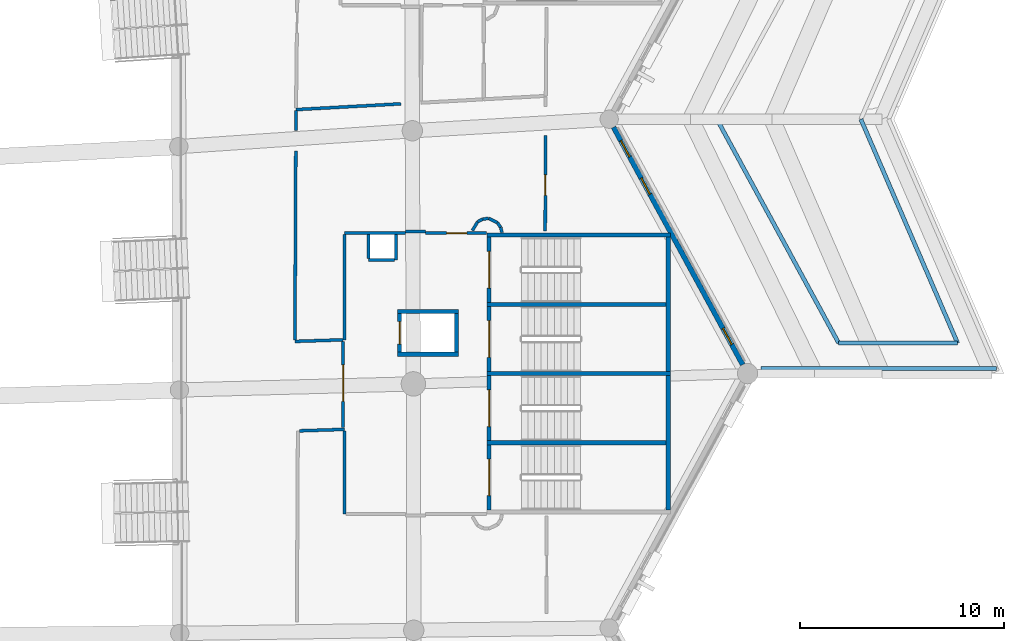
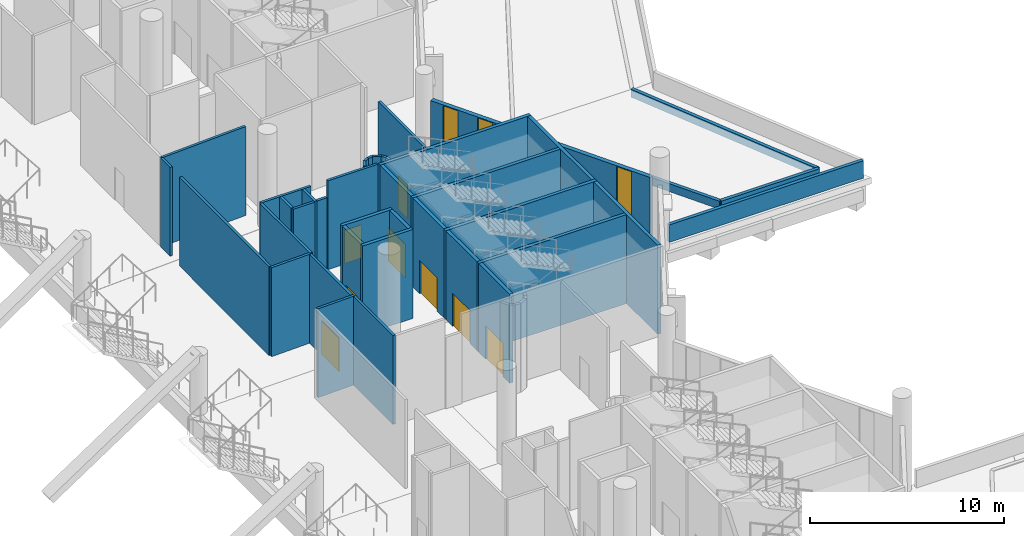
# One storey, part 71 of 173: 40 walls, 8 doors, 3 windows, 11 openings.
"""IFC4 building model written with IfcOpenShell, lengths in metres."""

from ifc_helpers import new_model, si_unit, direction, frame, frame_2d, origin, place, context, subcontext, project, spatial, rectangle, extrude, material, layer, layer_set, type_object, element, fill, save


model = new_model("IFC4")

# Units and contexts
model_context = context("Model", 3, precision=1e-05, world=origin(), true_north=direction((0.0, 1.0)))
body_context = subcontext(model_context, "Body", "Model", "MODEL_VIEW")
ifc_project = project(units=[si_unit("LENGTHUNIT", "METRE"), si_unit("AREAUNIT", "SQUARE_METRE"), si_unit("VOLUMEUNIT", "CUBIC_METRE"), si_unit("PLANEANGLEUNIT", "RADIAN"), si_unit("MASSUNIT", "GRAM", prefix="KILO")], contexts=[model_context])

# Site, building, storey
site_placement = place(None, origin())
site = spatial("IfcSite", under=ifc_project, at=site_placement, CompositionType="ELEMENT")
building_placement = place(site_placement, origin())
building = spatial("IfcBuilding", under=site, at=building_placement, Name="Meseta Stadium", CompositionType="ELEMENT")
storey_placement = place(building_placement, frame((0.0, 0.0, 18.0)))
storey = spatial("IfcBuildingStorey", under=building, at=storey_placement, Name="L03", CompositionType="ELEMENT", Elevation=18.0)

# Walls
ifc_material_1 = material(Name="Concrete C40/50", Category="concrete")
ifc_layer_1 = layer(ifc_material_1, 0.199951171875)
ifc_layer_set_1 = layer_set([ifc_layer_1], Name="Core divider wall 200")
wall_type_1 = type_object("IfcWallType", Name="Core divider wall 200", PredefinedType="SHEAR", material=ifc_layer_set_1)
for number, where, z_axis, x_axis, name in (
    (1, (97.60009765625, 15.35009765625, 0.0), (0.0, 0.0, 1.0), (-1.0, 0.0, 0.0), "Core 04 L03 stair A divider wall"),
    (2, (97.60009765625, 22.14990234375, 0.0), (0.0, 0.0, 1.0), (-1.0, 0.0, 0.0), "Core 04 L03 stair B divider wall"),
):
    element("IfcWall", number, at=place(storey_placement, frame(where, z_axis=z_axis, x_axis=x_axis)), inside=storey, type_object=wall_type_1, Name=name, PredefinedType="SHEAR", context=body_context, shape_type="SweptSolid", body=[
        extrude(rectangle(XDim=9.0, YDim=0.199951171875, at=frame_2d((4.5, 0.0))), origin(), (0.0, 0.0, 1.0), 5.60009765625),
    ])
ifc_material_2 = material(Name="Concrete C40/50", Category="concrete")
ifc_layer_2 = layer(ifc_material_2, 0.199951171875)
ifc_layer_set_2 = layer_set([ifc_layer_2], Name="Core shaft wall 200")
wall_type_2 = type_object("IfcWallType", Name="Core shaft wall 200", PredefinedType="SHEAR", material=ifc_layer_set_2)
for number, where, z_axis, x_axis, name in (
    (3, (97.60009765625, 18.75, 0.0), (0.0, 0.0, 1.0), (-1.0, 0.0, 0.0), "Core 04 L03 stair wall shared"),
    (4, (97.60009765625, 25.550048828125, 0.0), (0.0, 0.0, 1.0), (-1.0, 0.0, 0.0), "Core 04 L03 stair wall B-side"),
):
    element("IfcWall", number, at=place(storey_placement, frame(where, z_axis=z_axis, x_axis=x_axis)), inside=storey, type_object=wall_type_2, Name=name, PredefinedType="SHEAR", context=body_context, shape_type="SweptSolid", body=[
        extrude(rectangle(XDim=9.0, YDim=0.199951171875, at=frame_2d((4.5, 0.0))), origin(), (0.0, 0.0, 1.0), 5.60009765625),
    ])
for number, where, z_axis, x_axis, name in (
    (5, (97.5, 12.050048828125, 0.0), (0.0, 0.0, 1.0), (0.0, 1.0, 0.0), "Core 04 L03 stair A outer end wall"),
    (6, (97.5, 18.85009765625, 0.0), (0.0, 0.0, 1.0), (0.0, 1.0, 0.0), "Core 04 L03 stair B outer end wall"),
):
    element("IfcWall", number, at=place(storey_placement, frame(where, z_axis=z_axis, x_axis=x_axis)), inside=storey, type_object=wall_type_2, Name=name, PredefinedType="SHEAR", context=body_context, shape_type="SweptSolid", body=[
        extrude(rectangle(XDim=6.599853515625, YDim=0.199951171875, at=frame_2d((3.2998046875, 0.0))), origin(), (0.0, 0.0, 1.0), 5.60009765625),
    ])

# Wall, opening, door
wall_1_placement = place(storey_placement, frame((88.699951171875, 12.050048828125, 0.0), z_axis=(0.0, 0.0, 1.0), x_axis=(0.0, 1.0, 0.0)))
wall_1 = element("IfcWall", 7, at=wall_1_placement, inside=storey, type_object=wall_type_2, Name="Core 04 L03 stair A1 inner end wall", PredefinedType="SHEAR", context=body_context, shape_type="SweptSolid", body=[
    extrude(rectangle(XDim=3.199951171875, YDim=0.199951171875, at=frame_2d((1.60009765625, 0.0))), origin(), (0.0, 0.0, 1.0), 5.60009765625),
])
opening_1_placement = place(wall_1_placement, frame((0.699951171875, 0.0, 0.0)))
opening_1 = element("IfcOpeningElement", 8, at=opening_1_placement, cuts=wall_1, Name="Opening D1489", PredefinedType="OPENING", context=body_context, shape_type="SweptSolid", body=[
    extrude(rectangle(XDim=1.800048828125, YDim=2.10009765625, at=frame_2d((0.89990234375, 1.050048828125))), frame((0.0, 0.10986328125, 0.0), z_axis=(0.0, -1.0, 0.0), x_axis=(1.0, 0.0, 0.0)), (0.0, 0.0, 1.0), 0.219970703125),
])
ifc_material_3 = material(Name="Steel", Category="steel")
door_type_1 = type_object("IfcDoorType", Name="Stair door 1800x2100", OperationType="DOUBLE_DOOR_SINGLE_SWING", PredefinedType="DOOR", material=ifc_material_3)
door_1_placement = place(opening_1_placement, origin())
door_1 = element("IfcDoor", 9, at=door_1_placement, inside=storey, type_object=door_type_1, Name="Stair A1 door 04 L03", OperationType="DOUBLE_DOOR_SINGLE_SWING", OverallHeight=2.10009765625, OverallWidth=1.800048828125, PredefinedType="DOOR", context=body_context, shape_type="SweptSolid", body=[
    extrude(rectangle(XDim=1.800048828125, YDim=2.10009765625, at=frame_2d((0.89990234375, 1.050048828125))), frame((0.0, 0.02490234375, 0.0), z_axis=(0.0, -1.0, 0.0), x_axis=(1.0, 0.0, 0.0)), (0.0, 0.0, 1.0), 0.050048828125),
])
fill(opening_1, door_1)

wall_2_placement = place(storey_placement, frame((88.699951171875, 15.449951171875, 0.0), z_axis=(0.0, 0.0, 1.0), x_axis=(0.0, 1.0, 0.0)))
wall_2 = element("IfcWall", 10, at=wall_2_placement, inside=storey, type_object=wall_type_2, Name="Core 04 L03 stair A2 inner end wall", PredefinedType="SHEAR", context=body_context, shape_type="SweptSolid", body=[
    extrude(rectangle(XDim=3.199951171875, YDim=0.199951171875, at=frame_2d((1.60009765625, 0.0))), origin(), (0.0, 0.0, 1.0), 5.60009765625),
])
opening_2_placement = place(wall_2_placement, frame((0.699951171875, 0.0, 0.0)))
opening_2 = element("IfcOpeningElement", 11, at=opening_2_placement, cuts=wall_2, Name="Opening D1490", PredefinedType="OPENING", context=body_context, shape_type="SweptSolid", body=[
    extrude(rectangle(XDim=1.800048828125, YDim=2.10009765625, at=frame_2d((0.89990234375, 1.050048828125))), frame((0.0, 0.10986328125, 0.0), z_axis=(0.0, -1.0, 0.0), x_axis=(1.0, 0.0, 0.0)), (0.0, 0.0, 1.0), 0.219970703125),
])
door_2_placement = place(opening_2_placement, origin())
door_2 = element("IfcDoor", 12, at=door_2_placement, inside=storey, type_object=door_type_1, Name="Stair A2 door 04 L03", OperationType="DOUBLE_DOOR_SINGLE_SWING", OverallHeight=2.10009765625, OverallWidth=1.800048828125, PredefinedType="DOOR", context=body_context, shape_type="SweptSolid", body=[
    extrude(rectangle(XDim=1.800048828125, YDim=2.10009765625, at=frame_2d((0.89990234375, 1.050048828125))), frame((0.0, 0.02490234375, 0.0), z_axis=(0.0, -1.0, 0.0), x_axis=(1.0, 0.0, 0.0)), (0.0, 0.0, 1.0), 0.050048828125),
])
fill(opening_2, door_2)

wall_3_placement = place(storey_placement, frame((88.699951171875, 18.85009765625, 0.0), z_axis=(0.0, 0.0, 1.0), x_axis=(0.0, 1.0, 0.0)))
wall_3 = element("IfcWall", 13, at=wall_3_placement, inside=storey, type_object=wall_type_2, Name="Core 04 L03 stair B1 inner end wall", PredefinedType="SHEAR", context=body_context, shape_type="SweptSolid", body=[
    extrude(rectangle(XDim=3.199951171875, YDim=0.199951171875, at=frame_2d((1.60009765625, 0.0))), origin(), (0.0, 0.0, 1.0), 5.60009765625),
])
opening_3_placement = place(wall_3_placement, frame((0.699951171875, 0.0, 0.0)))
opening_3 = element("IfcOpeningElement", 14, at=opening_3_placement, cuts=wall_3, Name="Opening D1491", PredefinedType="OPENING", context=body_context, shape_type="SweptSolid", body=[
    extrude(rectangle(XDim=1.800048828125, YDim=2.10009765625, at=frame_2d((0.89990234375, 1.050048828125))), frame((0.0, 0.10986328125, 0.0), z_axis=(0.0, -1.0, 0.0), x_axis=(1.0, 0.0, 0.0)), (0.0, 0.0, 1.0), 0.219970703125),
])
door_3_placement = place(opening_3_placement, origin())
door_3 = element("IfcDoor", 15, at=door_3_placement, inside=storey, type_object=door_type_1, Name="Stair B1 door 04 L03", OperationType="DOUBLE_DOOR_SINGLE_SWING", OverallHeight=2.10009765625, OverallWidth=1.800048828125, PredefinedType="DOOR", context=body_context, shape_type="SweptSolid", body=[
    extrude(rectangle(XDim=1.800048828125, YDim=2.10009765625, at=frame_2d((0.89990234375, 1.050048828125))), frame((0.0, 0.02490234375, 0.0), z_axis=(0.0, -1.0, 0.0), x_axis=(1.0, 0.0, 0.0)), (0.0, 0.0, 1.0), 0.050048828125),
])
fill(opening_3, door_3)

wall_4_placement = place(storey_placement, frame((88.699951171875, 22.25, 0.0), z_axis=(0.0, 0.0, 1.0), x_axis=(0.0, 1.0, 0.0)))
wall_4 = element("IfcWall", 16, at=wall_4_placement, inside=storey, type_object=wall_type_2, Name="Core 04 L03 stair B2 inner end wall", PredefinedType="SHEAR", context=body_context, shape_type="SweptSolid", body=[
    extrude(rectangle(XDim=3.199951171875, YDim=0.199951171875, at=frame_2d((1.60009765625, 0.0))), origin(), (0.0, 0.0, 1.0), 5.60009765625),
])
opening_4_placement = place(wall_4_placement, frame((0.699951171875, 0.0, 0.0)))
opening_4 = element("IfcOpeningElement", 17, at=opening_4_placement, cuts=wall_4, Name="Opening D1492", PredefinedType="OPENING", context=body_context, shape_type="SweptSolid", body=[
    extrude(rectangle(XDim=1.800048828125, YDim=2.10009765625, at=frame_2d((0.89990234375, 1.050048828125))), frame((0.0, 0.10986328125, 0.0), z_axis=(0.0, -1.0, 0.0), x_axis=(1.0, 0.0, 0.0)), (0.0, 0.0, 1.0), 0.219970703125),
])
door_4_placement = place(opening_4_placement, origin())
door_4 = element("IfcDoor", 18, at=door_4_placement, inside=storey, type_object=door_type_1, Name="Stair B2 door 04 L03", OperationType="DOUBLE_DOOR_SINGLE_SWING", OverallHeight=2.10009765625, OverallWidth=1.800048828125, PredefinedType="DOOR", context=body_context, shape_type="SweptSolid", body=[
    extrude(rectangle(XDim=1.800048828125, YDim=2.10009765625, at=frame_2d((0.89990234375, 1.050048828125))), frame((0.0, 0.02490234375, 0.0), z_axis=(0.0, -1.0, 0.0), x_axis=(1.0, 0.0, 0.0)), (0.0, 0.0, 1.0), 0.050048828125),
])
fill(opening_4, door_4)

# Walls
for number, where, z_axis, x_axis, name in (
    (19, (87.199951171875, 19.699951171875, 0.0), (0.0, 0.0, 1.0), (-1.0, 0.0, 0.0), "Core 04 L03 lift shaft wall left"),
    (20, (87.199951171875, 21.800048828125, 0.0), (0.0, 0.0, 1.0), (-1.0, 0.0, 0.0), "Core 04 L03 lift shaft wall right"),
):
    element("IfcWall", number, at=place(storey_placement, frame(where, z_axis=z_axis, x_axis=x_axis)), inside=storey, type_object=wall_type_2, Name=name, PredefinedType="SHEAR", context=body_context, shape_type="SweptSolid", body=[
        extrude(rectangle(XDim=3.0, YDim=0.199951171875, at=frame_2d((1.5, 0.0))), origin(), (0.0, 0.0, 1.0), 5.60009765625),
    ])
wall_5_placement = place(storey_placement, frame((87.10009765625, 19.800048828125, 0.0), z_axis=(0.0, 0.0, 1.0), x_axis=(0.0, 1.0, 0.0)))
element("IfcWall", 21, at=wall_5_placement, inside=storey, type_object=wall_type_2, Name="Core 04 L03 lift shaft back wall", PredefinedType="SHEAR", context=body_context, shape_type="SweptSolid", body=[
    extrude(rectangle(XDim=1.89990234375, YDim=0.199951171875, at=frame_2d((0.949951171875, 0.0))), origin(), (0.0, 0.0, 1.0), 5.60009765625),
])

# Wall, opening, door
wall_6_placement = place(storey_placement, frame((84.300048828125, 19.800048828125, 0.0), z_axis=(0.0, 0.0, 1.0), x_axis=(0.0, 1.0, 0.0)))
wall_6 = element("IfcWall", 22, at=wall_6_placement, inside=storey, type_object=wall_type_2, Name="Core 04 L03 lift shaft front wall", PredefinedType="SHEAR", context=body_context, shape_type="SweptSolid", body=[
    extrude(rectangle(XDim=1.89990234375, YDim=0.199951171875, at=frame_2d((0.949951171875, 0.0))), origin(), (0.0, 0.0, 1.0), 5.60009765625),
])
opening_5_placement = place(wall_6_placement, frame((0.39990234375, 0.0, 0.0)))
opening_5 = element("IfcOpeningElement", 23, at=opening_5_placement, cuts=wall_6, Name="Opening LD23", PredefinedType="OPENING", context=body_context, shape_type="SweptSolid", body=[
    extrude(rectangle(XDim=1.10009765625, YDim=2.10009765625, at=frame_2d((0.550048828125, 1.050048828125))), frame((0.0, 0.10986328125, 0.0), z_axis=(0.0, -1.0, 0.0), x_axis=(1.0, 0.0, 0.0)), (0.0, 0.0, 1.0), 0.219970703125),
])
ifc_material_4 = material(Name="Steel", Category="steel")
door_type_2 = type_object("IfcDoorType", Name="Lift landing door 1100x2100", OperationType="SLIDING_TO_LEFT", PredefinedType="DOOR", material=ifc_material_4)
door_5_placement = place(opening_5_placement, origin())
door_5 = element("IfcDoor", 24, at=door_5_placement, inside=storey, type_object=door_type_2, Name="Lift landing door LD23", OperationType="SLIDING_TO_LEFT", OverallHeight=2.10009765625, OverallWidth=1.10009765625, PredefinedType="DOOR", context=body_context, shape_type="SweptSolid", body=[
    extrude(rectangle(XDim=1.10009765625, YDim=2.10009765625, at=frame_2d((0.550048828125, 1.050048828125))), frame((0.0, 0.02490234375, 0.0), z_axis=(0.0, -1.0, 0.0), x_axis=(1.0, 0.0, 0.0)), (0.0, 0.0, 1.0), 0.050048828125),
])
fill(opening_5, door_5)

# Walls
ifc_material_5 = material(Name="Masonry blockwork", Category="masonry")
ifc_layer_3 = layer(ifc_material_5, 0.14990234375)
ifc_layer_set_3 = layer_set([ifc_layer_3], Name="Partition 150")
wall_type_3 = type_object("IfcWallType", Name="Partition 150", PredefinedType="PARTITIONING", material=ifc_layer_set_3)
wall_7_placement = place(storey_placement, frame((79.376708984375, 15.936279296875, 0.0), z_axis=(0.0, 0.0, 1.0), x_axis=(0.999461468916, 0.032814206567, 0.0)))
element("IfcWall", 25, at=wall_7_placement, inside=storey, type_object=wall_type_3, Name="Partition L03 L03-cell02-1-0", PredefinedType="PARTITIONING", context=body_context, shape_type="SweptSolid", body=[
    extrude(rectangle(XDim=2.224609375, YDim=0.14990234375, at=frame_2d((1.1123046875, 0.0))), origin(), (0.0, 0.0, 1.0), 5.60009765625),
])
wall_8_placement = place(storey_placement, frame((81.60009765625, 15.934326171875, 0.0), z_axis=(0.0, 0.0, 1.0), x_axis=(0.0, -1.0, 0.0)))
element("IfcWall", 26, at=wall_8_placement, inside=storey, type_object=wall_type_3, Name="Partition L03 L03-cell02-1-0", PredefinedType="PARTITIONING", context=body_context, shape_type="SweptSolid", body=[
    extrude(rectangle(XDim=4.084228515625, YDim=0.14990234375, at=frame_2d((2.0419921875, 0.0))), origin(), (0.0, 0.0, 1.0), 5.60009765625),
])
wall_9_placement = place(storey_placement, frame((84.359619140625, 32.00439453125, 0.0), z_axis=(0.0, 0.0, 1.0), x_axis=(-0.998501585444, -0.054722791105, 0.0)))
element("IfcWall", 27, at=wall_9_placement, inside=storey, type_object=wall_type_3, Name="Partition L03 L03-cell03-1-0b2", PredefinedType="PARTITIONING", context=body_context, shape_type="SweptSolid", body=[
    extrude(rectangle(XDim=5.157470703125, YDim=0.14990234375, at=frame_2d((2.57861328125, 0.0))), origin(), (0.0, 0.0, 1.0), 5.60009765625),
])

# Wall, opening, door
wall_10_placement = place(storey_placement, frame((88.56005859375, 25.64990234375, 0.0), z_axis=(0.0, 0.0, 1.0), x_axis=(-1.0, 0.0, 0.0)))
wall_10 = element("IfcWall", 28, at=wall_10_placement, inside=storey, type_object=wall_type_3, Name="Partition L03 L03-cell03-1-0w", PredefinedType="PARTITIONING", context=body_context, shape_type="SweptSolid", body=[
    extrude(rectangle(XDim=2.98291015625, YDim=0.14990234375, at=frame_2d((1.491455078125, 0.0))), origin(), (0.0, 0.0, 1.0), 5.60009765625),
])
opening_6_placement = place(wall_10_placement, frame((0.949951171875, 0.0, 0.0)))
opening_6 = element("IfcOpeningElement", 29, at=opening_6_placement, cuts=wall_10, Name="Opening D1470", PredefinedType="OPENING", context=body_context, shape_type="SweptSolid", body=[
    extrude(rectangle(XDim=1.0, YDim=2.10009765625, at=frame_2d((0.5, 1.050048828125))), frame((0.0, 0.0849609375, 0.0), z_axis=(0.0, -1.0, 0.0), x_axis=(1.0, 0.0, 0.0)), (0.0, 0.0, 1.0), 0.169921875),
])
ifc_material_6 = material(Name="Timber", Category="wood")
door_type_3 = type_object("IfcDoorType", Name="Room door 1000x2100", OperationType="NOTDEFINED", PredefinedType="DOOR", material=ifc_material_6)
door_6_placement = place(opening_6_placement, frame((1.0, 0.0, 0.0), z_axis=(0.0, 0.0, 1.0), x_axis=(-1.0, 0.0, 0.0)))
door_6 = element("IfcDoor", 30, at=door_6_placement, inside=storey, type_object=door_type_3, Name="Room door L03 L03-cell03-1-0w", OperationType="SINGLE_SWING_LEFT", OverallHeight=2.10009765625, OverallWidth=1.0, PredefinedType="DOOR", context=body_context, shape_type="SweptSolid", body=[
    extrude(rectangle(XDim=1.0, YDim=2.10009765625, at=frame_2d((0.5, 1.050048828125))), frame((0.0, 0.02490234375, 0.0), z_axis=(0.0, -1.0, 0.0), x_axis=(1.0, 0.0, 0.0)), (0.0, 0.0, 1.0), 0.050048828125),
])
fill(opening_6, door_6)

# Walls
wall_11_placement = place(storey_placement, frame((84.5830078125, 25.64990234375, 0.0), z_axis=(0.0, 0.0, 1.0), x_axis=(-1.0, 0.0, 0.0)))
element("IfcWall", 31, at=wall_11_placement, inside=storey, type_object=wall_type_3, Name="Partition L03 L03-cell03-1-0w", PredefinedType="PARTITIONING", context=body_context, shape_type="SweptSolid", body=[
    extrude(rectangle(XDim=2.98291015625, YDim=0.14990234375, at=frame_2d((1.491455078125, 0.0))), origin(), (0.0, 0.0, 1.0), 5.60009765625),
])
wall_12_placement = place(storey_placement, frame((81.60009765625, 25.574951171875, 0.0), z_axis=(0.0, 0.0, 1.0), x_axis=(0.0, -1.0, 0.0)))
element("IfcWall", 32, at=wall_12_placement, inside=storey, type_object=wall_type_3, Name="Partition L03 L03-cell03-1-0w", PredefinedType="PARTITIONING", context=body_context, shape_type="SweptSolid", body=[
    extrude(rectangle(XDim=5.163330078125, YDim=0.14990234375, at=frame_2d((2.58154296875, 0.0))), origin(), (0.0, 0.0, 1.0), 5.60009765625),
])
wall_13_placement = place(storey_placement, frame((81.52490234375, 20.4091796875, 0.0), z_axis=(0.0, 0.0, 1.0), x_axis=(-0.999459562748, -0.032872213684, 0.0)))
element("IfcWall", 33, at=wall_13_placement, inside=storey, type_object=wall_type_3, Name="Partition L03 L03-cell03-1-0w", PredefinedType="PARTITIONING", context=body_context, shape_type="SweptSolid", body=[
    extrude(rectangle(XDim=2.369140625, YDim=0.14990234375, at=frame_2d((1.1845703125, 0.0))), origin(), (0.0, 0.0, 1.0), 5.60009765625),
])
wall_14_placement = place(storey_placement, frame((79.1572265625, 20.406494140625, 0.0), z_axis=(0.0, 0.0, 1.0), x_axis=(0.004597350601, 0.999989432128, 0.0)))
element("IfcWall", 34, at=wall_14_placement, inside=storey, type_object=wall_type_3, Name="Partition L03 L03-cell03-1-0w", PredefinedType="PARTITIONING", context=body_context, shape_type="SweptSolid", body=[
    extrude(rectangle(XDim=9.293212890625, YDim=0.14990234375, at=frame_2d((4.646484375, 0.0))), origin(), (0.0, 0.0, 1.0), 5.60009765625),
])
wall_15_placement = place(storey_placement, frame((79.20458984375, 30.68603515625, 0.0), z_axis=(0.0, 0.0, 1.0), x_axis=(0.004456504396, 0.999990069735, 0.0)))
element("IfcWall", 35, at=wall_15_placement, inside=storey, type_object=wall_type_3, Name="Partition L03 L03-cell03-1-0w", PredefinedType="PARTITIONING", context=body_context, shape_type="SweptSolid", body=[
    extrude(rectangle(XDim=0.986083984375, YDim=0.14990234375, at=frame_2d((0.4931640625, 0.0))), origin(), (0.0, 0.0, 1.0), 5.60009765625),
])

# Wall, opening, door
wall_16_placement = place(storey_placement, frame((91.454833984375, 25.75, 0.0), z_axis=(0.0, 0.0, 1.0), x_axis=(0.003887189456, 0.999992444851, 0.0)))
wall_16 = element("IfcWall", 36, at=wall_16_placement, inside=storey, type_object=wall_type_3, Name="Partition L03 L03-cell03-1-0w", PredefinedType="PARTITIONING", context=body_context, shape_type="SweptSolid", body=[
    extrude(rectangle(XDim=4.71044921875, YDim=0.14990234375, at=frame_2d((2.355224609375, 0.0))), origin(), (0.0, 0.0, 1.0), 5.60009765625),
])
opening_7_placement = place(wall_16_placement, frame((1.760498046875, 0.0, 0.0)))
opening_7 = element("IfcOpeningElement", 37, at=opening_7_placement, cuts=wall_16, Name="Opening D1494", PredefinedType="OPENING", context=body_context, shape_type="SweptSolid", body=[
    extrude(rectangle(XDim=1.0, YDim=2.10009765625, at=frame_2d((0.5, 1.050048828125))), frame((0.0, 0.0849609375, 0.0), z_axis=(0.0, -1.0, 0.0), x_axis=(1.0, 0.0, 0.0)), (0.0, 0.0, 1.0), 0.169921875),
])
ifc_material_7 = material(Name="Steel", Category="steel")
door_type_4 = type_object("IfcDoorType", Name="Fire door 1000x2100 EI2 120", OperationType="NOTDEFINED", PredefinedType="DOOR", material=ifc_material_7)
door_7_placement = place(opening_7_placement, origin())
door_7 = element("IfcDoor", 38, at=door_7_placement, inside=storey, type_object=door_type_4, Name="Room door L03 L03-cell03-2-0", OperationType="SINGLE_SWING_LEFT", OverallHeight=2.10009765625, OverallWidth=1.0, PredefinedType="DOOR", context=body_context, shape_type="SweptSolid", body=[
    extrude(rectangle(XDim=1.0, YDim=2.10009765625, at=frame_2d((0.5, 1.050048828125))), frame((0.0, 0.02490234375, 0.0), z_axis=(0.0, -1.0, 0.0), x_axis=(1.0, 0.0, 0.0)), (0.0, 0.0, 1.0), 0.050048828125),
])
fill(opening_7, door_7)

# Walls
wall_17_placement = place(storey_placement, frame((84.125, 24.324951171875, 0.0), z_axis=(0.0, 0.0, 1.0), x_axis=(0.0, 1.0, 0.0)))
element("IfcWall", 39, at=wall_17_placement, inside=storey, type_object=wall_type_3, Name="Pressurisation shaft wall L03 core 04", PredefinedType="PARTITIONING", context=body_context, shape_type="SweptSolid", body=[
    extrude(rectangle(XDim=1.2490234375, YDim=0.14990234375, at=frame_2d((0.62451171875, 0.0))), origin(), (0.0, 0.0, 1.0), 5.60009765625),
])
wall_18_placement = place(storey_placement, frame((82.77490234375, 25.573974609375, 0.0), z_axis=(0.0, 0.0, 1.0), x_axis=(0.0, -1.0, 0.0)))
element("IfcWall", 40, at=wall_18_placement, inside=storey, type_object=wall_type_3, Name="Pressurisation shaft wall L03 core 04", PredefinedType="PARTITIONING", context=body_context, shape_type="SweptSolid", body=[
    extrude(rectangle(XDim=1.174072265625, YDim=0.14990234375, at=frame_2d((0.5869140625, 0.0))), origin(), (0.0, 0.0, 1.0), 5.60009765625),
])
wall_19_placement = place(storey_placement, frame((82.77490234375, 24.324951171875, 0.0), z_axis=(0.0, 0.0, 1.0), x_axis=(1.0, 0.0, 0.0)))
element("IfcWall", 41, at=wall_19_placement, inside=storey, type_object=wall_type_3, Name="Pressurisation shaft wall L03 core 04", PredefinedType="PARTITIONING", context=body_context, shape_type="SweptSolid", body=[
    extrude(rectangle(XDim=1.275146484375, YDim=0.14990234375, at=frame_2d((0.6376953125, 0.0))), origin(), (0.0, 0.0, 1.0), 5.60009765625),
])

# Wall, opening, door
wall_20_placement = place(storey_placement, frame((81.52490234375, 20.330810546875, 0.0), z_axis=(0.0, 0.0, 1.0), x_axis=(0.0, -1.0, 0.0)))
wall_20 = element("IfcWall", 42, at=wall_20_placement, inside=storey, type_object=wall_type_3, Name="Stair vestibule wall L03 core 04", PredefinedType="PARTITIONING", context=body_context, shape_type="SweptSolid", body=[
    extrude(rectangle(XDim=4.236572265625, YDim=0.14990234375, at=frame_2d((2.1181640625, 0.0))), origin(), (0.0, 0.0, 1.0), 5.60009765625),
])
opening_8_placement = place(wall_20_placement, frame((1.14990234375, 0.0, 0.0)))
opening_8 = element("IfcOpeningElement", 43, at=opening_8_placement, cuts=wall_20, Name="Opening D1461", PredefinedType="OPENING", context=body_context, shape_type="SweptSolid", body=[
    extrude(rectangle(XDim=1.800048828125, YDim=2.10009765625, at=frame_2d((0.89990234375, 1.050048828125))), frame((0.0, 0.0849609375, 0.0), z_axis=(0.0, -1.0, 0.0), x_axis=(1.0, 0.0, 0.0)), (0.0, 0.0, 1.0), 0.169921875),
])
ifc_material_8 = material(Name="Steel", Category="steel")
door_type_5 = type_object("IfcDoorType", Name="Fire double door 1800x2100 EI2 60", OperationType="DOUBLE_DOOR_SINGLE_SWING", PredefinedType="DOOR", material=ifc_material_8)
door_8_placement = place(opening_8_placement, origin())
door_8 = element("IfcDoor", 44, at=door_8_placement, inside=storey, type_object=door_type_5, Name="Stair vestibule door L03 core 04", OperationType="DOUBLE_DOOR_SINGLE_SWING", OverallHeight=2.10009765625, OverallWidth=1.800048828125, PredefinedType="DOOR", context=body_context, shape_type="SweptSolid", body=[
    extrude(rectangle(XDim=1.800048828125, YDim=2.10009765625, at=frame_2d((0.89990234375, 1.050048828125))), frame((0.0, 0.02490234375, 0.0), z_axis=(0.0, -1.0, 0.0), x_axis=(1.0, 0.0, 0.0)), (0.0, 0.0, 1.0), 0.050048828125),
])
fill(opening_8, door_8)

# Walls
wall_21_placement = place(storey_placement, frame((89.329833984375, 25.678466796875, 0.0), z_axis=(0.0, 0.0, 1.0), x_axis=(-0.230253879357, 0.973130593004, 0.0)))
element("IfcWall", 45, at=wall_21_placement, inside=storey, type_object=wall_type_3, Name="Stair vestibule wall L03 core 04", PredefinedType="PARTITIONING", context=body_context, shape_type="SweptSolid", body=[
    extrude(rectangle(XDim=0.257568359375, YDim=0.14990234375, at=frame_2d((0.12890625, 0.0))), origin(), (0.0, 0.0, 1.0), 5.60009765625),
])
wall_22_placement = place(storey_placement, frame((89.2705078125, 25.92919921875, 0.0), z_axis=(0.0, 0.0, 1.0), x_axis=(-0.555678694372, 0.831397130511, 0.0)))
element("IfcWall", 46, at=wall_22_placement, inside=storey, type_object=wall_type_3, Name="Stair vestibule wall L03 core 04", PredefinedType="PARTITIONING", context=body_context, shape_type="SweptSolid", body=[
    extrude(rectangle(XDim=0.287841796875, YDim=0.14990234375, at=frame_2d((0.14404296875, 0.0))), origin(), (0.0, 0.0, 1.0), 5.60009765625),
])
wall_23_placement = place(storey_placement, frame((89.110595703125, 26.16845703125, 0.0), z_axis=(0.0, 0.0, 1.0), x_axis=(-0.90398642908, 0.427561148889, 0.0)))
element("IfcWall", 47, at=wall_23_placement, inside=storey, type_object=wall_type_3, Name="Stair vestibule wall L03 core 04", PredefinedType="PARTITIONING", context=body_context, shape_type="SweptSolid", body=[
    extrude(rectangle(XDim=0.479736328125, YDim=0.14990234375, at=frame_2d((0.23974609375, 0.0))), origin(), (0.0, 0.0, 1.0), 5.60009765625),
])
for number, where, z_axis, x_axis, name in (
    (48, (88.677001953125, 26.37353515625, 0.0), (0.0, 0.0, 1.0), (-0.995194714408, -0.097915680128, 0.0), "Stair vestibule wall L03 core 04"),
    (49, (88.38916015625, 26.34521484375, 0.0), (0.0, 0.0, 1.0), (-0.881768319, -0.471682765858, 0.0), "Stair vestibule wall L03 core 04"),
):
    element("IfcWall", number, at=place(storey_placement, frame(where, z_axis=z_axis, x_axis=x_axis)), inside=storey, type_object=wall_type_3, Name=name, PredefinedType="PARTITIONING", context=body_context, shape_type="SweptSolid", body=[
        extrude(rectangle(XDim=0.289306640625, YDim=0.14990234375, at=frame_2d((0.14453125, 0.0))), origin(), (0.0, 0.0, 1.0), 5.60009765625),
    ])
wall_24_placement = place(storey_placement, frame((88.134033203125, 26.208740234375, 0.0), z_axis=(0.0, 0.0, 1.0), x_axis=(-0.513060623194, -0.858352373404, 0.0)))
element("IfcWall", 50, at=wall_24_placement, inside=storey, type_object=wall_type_3, Name="Stair vestibule wall L03 core 04", PredefinedType="PARTITIONING", context=body_context, shape_type="SweptSolid", body=[
    extrude(rectangle(XDim=0.50048828125, YDim=0.14990234375, at=frame_2d((0.250244140625, 0.0))), origin(), (0.0, 0.0, 1.0), 5.60009765625),
])
wall_25_placement = place(storey_placement, frame((85.567138671875, 25.72509765625, 0.0), z_axis=(0.0, 0.0, 1.0), x_axis=(-1.0, 0.0, 0.0)))
element("IfcWall", 51, at=wall_25_placement, inside=storey, type_object=wall_type_3, Name="Stair vestibule wall L03 core 04", PredefinedType="PARTITIONING", context=body_context, shape_type="SweptSolid", body=[
    extrude(rectangle(XDim=0.97412109375, YDim=0.14990234375, at=frame_2d((0.487060546875, 0.0))), origin(), (0.0, 0.0, 1.0), 4.5),
])
ifc_material_9 = material(Name="Precast concrete C40/50", Category="concrete")
ifc_layer_4 = layer(ifc_material_9, 0.199951171875)
ifc_layer_set_4 = layer_set([ifc_layer_4], Name="Planter kerb 200")
wall_type_4 = type_object("IfcWallType", Name="Planter kerb 200", PredefinedType="USERDEFINED", material=ifc_layer_set_4)
wall_26_placement = place(storey_placement, frame((106.966064453125, 31.25, 0.0), z_axis=(0.0, 0.0, 1.0), x_axis=(0.396573392592, -0.91800301976, 0.0)))
element("IfcWall", 52, at=wall_26_placement, inside=storey, type_object=wall_type_4, Name="Planter kerb 1.1.3", ObjectType="PLANTER", PredefinedType="USERDEFINED", context=body_context, shape_type="SweptSolid", body=[
    extrude(rectangle(XDim=11.982421875, YDim=0.199951171875, at=frame_2d((5.9912109375, 0.0))), origin(), (0.0, 0.0, 1.0), 0.5),
])
wall_27_placement = place(storey_placement, frame((111.718017578125, 20.25, 0.0), z_axis=(0.0, 0.0, 1.0), x_axis=(-1.0, 0.0, 0.0)))
element("IfcWall", 53, at=wall_27_placement, inside=storey, type_object=wall_type_4, Name="Planter kerb 1.1.4", ObjectType="PLANTER", PredefinedType="USERDEFINED", context=body_context, shape_type="SweptSolid", body=[
    extrude(rectangle(XDim=5.840576171875, YDim=0.199951171875, at=frame_2d((2.92041015625, 0.0))), origin(), (0.0, 0.0, 1.0), 0.5),
])
wall_28_placement = place(storey_placement, frame((105.87744140625, 20.25, 0.0), z_axis=(0.0, 0.0, 1.0), x_axis=(-0.477860109602, 0.87843594852, 0.0)))
element("IfcWall", 54, at=wall_28_placement, inside=storey, type_object=wall_type_4, Name="Planter kerb 1.1.5", ObjectType="PLANTER", PredefinedType="USERDEFINED", context=body_context, shape_type="SweptSolid", body=[
    extrude(rectangle(XDim=12.522216796875, YDim=0.199951171875, at=frame_2d((6.26123046875, 0.0))), origin(), (0.0, 0.0, 1.0), 0.5),
])

# Wall, openings, windows
ifc_material_10 = material(Name="White precast concrete C40/50", Category="concrete")
ifc_layer_5 = layer(ifc_material_10, 0.25)
ifc_layer_set_5 = layer_set([ifc_layer_5], Name="Pleated panel wall 250")
wall_type_5 = type_object("IfcWallType", Name="Pleated panel wall 250", PredefinedType="SOLIDWALL", material=ifc_layer_set_5)
wall_29_placement = place(storey_placement, frame((94.81494140625, 30.854736328125, 0.0), z_axis=(0.0, 0.0, 1.0), x_axis=(0.477867771117, -0.878431780691, 0.0)))
wall_29 = element("IfcWall", 55, at=wall_29_placement, inside=storey, type_object=wall_type_5, Name="Pleated facade panel L03 F06", PredefinedType="SOLIDWALL", context=body_context, shape_type="SweptSolid", body=[
    extrude(rectangle(XDim=13.2802734375, YDim=0.25, at=frame_2d((6.64013671875, 0.0))), origin(), (0.0, 0.0, 1.0), 4.300048828125),
])
opening_9_placement = place(wall_29_placement, frame((0.750244140625, 0.0, 1.0)))
opening_9 = element("IfcOpeningElement", 56, at=opening_9_placement, cuts=wall_29, Name="Opening W157", PredefinedType="OPENING", context=body_context, shape_type="SweptSolid", body=[
    extrude(rectangle(XDim=0.89990234375, YDim=3.25, at=frame_2d((0.449951171875, 1.625))), frame((0.0, 0.135009765625, 0.0), z_axis=(0.0, -1.0, 0.0), x_axis=(1.0, 0.0, 0.0)), (0.0, 0.0, 1.0), 0.27001953125),
])
opening_10_placement = place(wall_29_placement, frame((2.85009765625, 0.0, 1.0)))
opening_10 = element("IfcOpeningElement", 57, at=opening_10_placement, cuts=wall_29, Name="Opening W165", PredefinedType="OPENING", context=body_context, shape_type="SweptSolid", body=[
    extrude(rectangle(XDim=0.89990234375, YDim=3.25, at=frame_2d((0.449951171875, 1.625))), frame((0.0, 0.135009765625, 0.0), z_axis=(0.0, -1.0, 0.0), x_axis=(1.0, 0.0, 0.0)), (0.0, 0.0, 1.0), 0.27001953125),
])
opening_11_placement = place(wall_29_placement, frame((11.250244140625, 0.0, 1.0)))
opening_11 = element("IfcOpeningElement", 58, at=opening_11_placement, cuts=wall_29, Name="Opening W175", PredefinedType="OPENING", context=body_context, shape_type="SweptSolid", body=[
    extrude(rectangle(XDim=0.89990234375, YDim=3.25, at=frame_2d((0.449951171875, 1.625))), frame((0.0, 0.135009765625, 0.0), z_axis=(0.0, -1.0, 0.0), x_axis=(1.0, 0.0, 0.0)), (0.0, 0.0, 1.0), 0.27001953125),
])
ifc_material_11 = material(Name="Aluminium", Category="aluminium")
window_type = type_object("IfcWindowType", Name="Slot window 900x3250", PartitioningType="SINGLE_PANEL", PredefinedType="WINDOW", material=ifc_material_11)
window_1_placement = place(opening_9_placement, origin())
window_1 = element("IfcWindow", 59, at=window_1_placement, inside=storey, type_object=window_type, Name="Slot window L03 F06.1", OverallHeight=3.25, OverallWidth=0.89990234375, PartitioningType="SINGLE_PANEL", PredefinedType="WINDOW", context=body_context, shape_type="SweptSolid", body=[
    extrude(rectangle(XDim=0.89990234375, YDim=3.25, at=frame_2d((0.449951171875, 1.625))), frame((0.0, 0.030029296875, 0.0), z_axis=(0.0, -1.0, 0.0), x_axis=(1.0, 0.0, 0.0)), (0.0, 0.0, 1.0), 0.06005859375),
])
fill(opening_9, window_1)
window_2_placement = place(opening_10_placement, origin())
window_2 = element("IfcWindow", 60, at=window_2_placement, inside=storey, type_object=window_type, Name="Slot window L03 F06.2", OverallHeight=3.25, OverallWidth=0.89990234375, PartitioningType="SINGLE_PANEL", PredefinedType="WINDOW", context=body_context, shape_type="SweptSolid", body=[
    extrude(rectangle(XDim=0.89990234375, YDim=3.25, at=frame_2d((0.449951171875, 1.625))), frame((0.0, 0.030029296875, 0.0), z_axis=(0.0, -1.0, 0.0), x_axis=(1.0, 0.0, 0.0)), (0.0, 0.0, 1.0), 0.06005859375),
])
fill(opening_10, window_2)
window_3_placement = place(opening_11_placement, origin())
window_3 = element("IfcWindow", 61, at=window_3_placement, inside=storey, type_object=window_type, Name="Slot window L03 F06.6", OverallHeight=3.25, OverallWidth=0.89990234375, PartitioningType="SINGLE_PANEL", PredefinedType="WINDOW", context=body_context, shape_type="SweptSolid", body=[
    extrude(rectangle(XDim=0.89990234375, YDim=3.25, at=frame_2d((0.449951171875, 1.625))), frame((0.0, 0.030029296875, 0.0), z_axis=(0.0, -1.0, 0.0), x_axis=(1.0, 0.0, 0.0)), (0.0, 0.0, 1.0), 0.06005859375),
])
fill(opening_11, window_3)

# Wall
ifc_material_12 = material(Name="Concrete C40/50", Category="concrete")
ifc_layer_6 = layer(ifc_material_12, 0.199951171875)
ifc_layer_set_6 = layer_set([ifc_layer_6], Name="Roof parapet 200")
wall_type_6 = type_object("IfcWallType", Name="Roof parapet 200", PredefinedType="PARAPET", material=ifc_layer_set_6)
wall_30_placement = place(storey_placement, frame((113.61962890625, 19.0, 0.0), z_axis=(0.0, 0.0, 1.0), x_axis=(-1.0, 0.0, 0.0)))
element("IfcWall", 62, at=wall_30_placement, inside=storey, type_object=wall_type_6, Name="Roof parapet 1.4.1", PredefinedType="PARAPET", context=body_context, shape_type="SweptSolid", body=[
    extrude(rectangle(XDim=11.558837890625, YDim=0.199951171875, at=frame_2d((5.779296875, 0.0))), origin(), (0.0, 0.0, 1.0), 1.10009765625),
])

save(model, "model.ifc")
